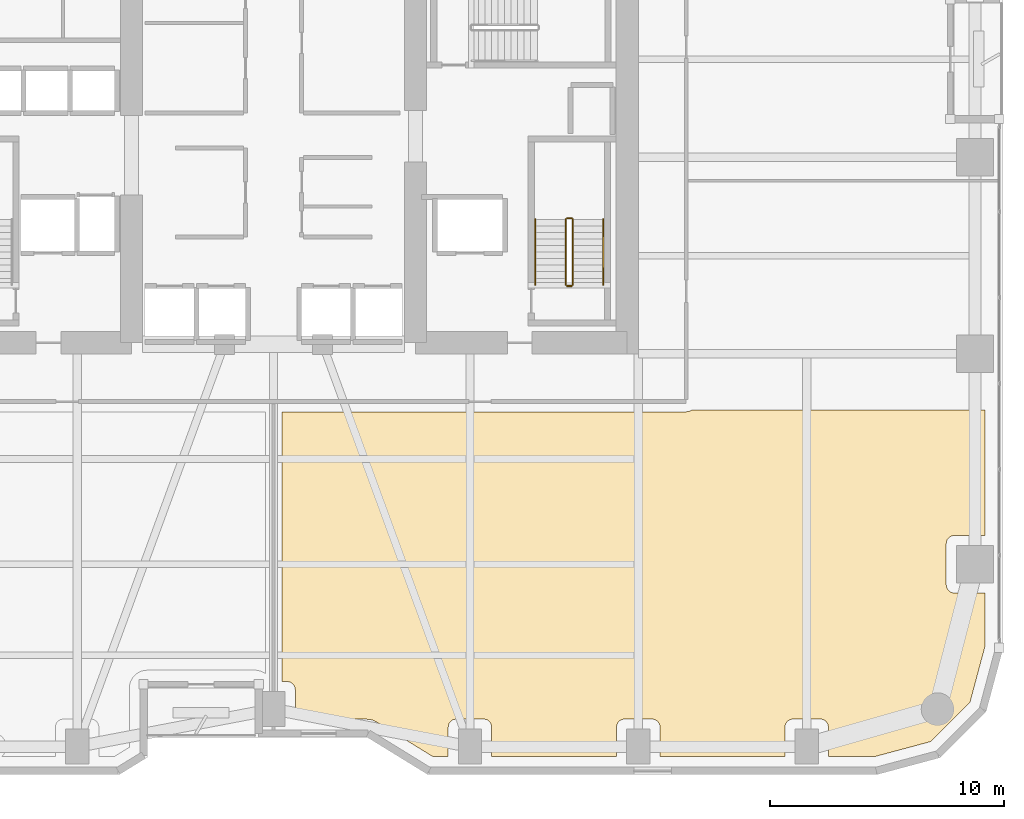
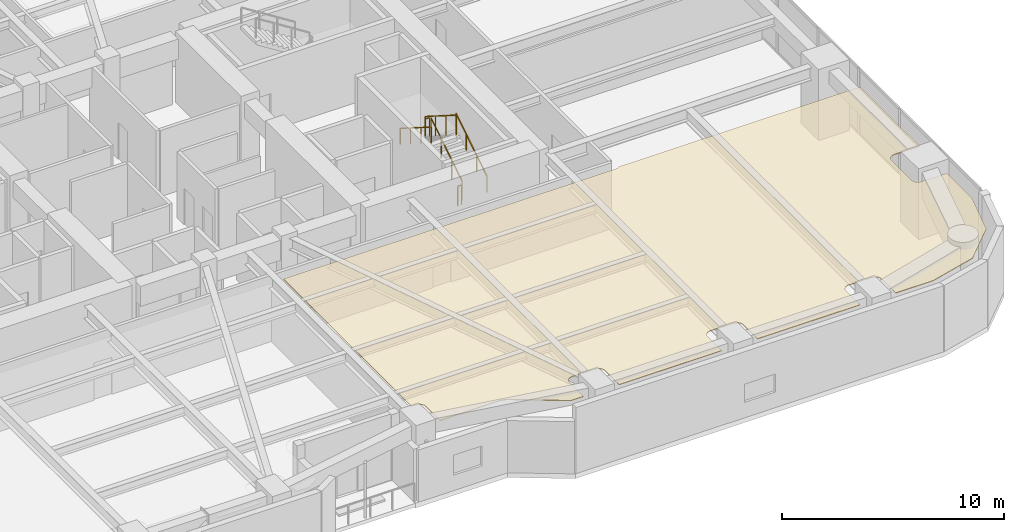
# One storey, part 27 of 29: 6 railings, 1 covering.
"""IFC4 building model written with IfcOpenShell, lengths in metres."""

from ifc_helpers import new_model, si_unit, direction, frame, origin, origin_2d, place, context, subcontext, project, spatial, polyline, rectangle, outline, extrude, material, layer, layer_set, type_object, element, save


model = new_model("IFC4")

# Units and contexts
model_context = context("Model", 3, precision=1e-05, world=origin(), true_north=direction((0.0, 1.0)))
body_context = subcontext(model_context, "Body", "Model", "MODEL_VIEW")
ifc_project = project(units=[si_unit("LENGTHUNIT", "METRE"), si_unit("AREAUNIT", "SQUARE_METRE"), si_unit("VOLUMEUNIT", "CUBIC_METRE"), si_unit("PLANEANGLEUNIT", "RADIAN"), si_unit("MASSUNIT", "GRAM", prefix="KILO")], contexts=[model_context])

# Site, building, storey
site_placement = place(None, origin())
site = spatial("IfcSite", under=ifc_project, at=site_placement, CompositionType="ELEMENT")
building_placement = place(site_placement, origin())
building = spatial("IfcBuilding", under=site, at=building_placement, Name="Kiyonajd Concourse Tower", CompositionType="ELEMENT")
storey_placement = place(building_placement, frame((0.0, 0.0, 25.5)))
storey = spatial("IfcBuildingStorey", under=building, at=storey_placement, Name="L07", CompositionType="ELEMENT", Elevation=25.5)

# Covering
ifc_material_1 = material(Name="Natural Oak Acoustic Timber Veneer", Category="wood")
ifc_layer = layer(ifc_material_1, 0.0400390625)
ifc_layer_set = layer_set([ifc_layer], Name="Natural Oak Acoustic Timber Veneer")
covering_type = type_object("IfcCoveringType", Name="CV-CLG-ACST", PredefinedType="CEILING", material=ifc_layer_set)
covering_placement = place(storey_placement, frame((0.0, 0.0, 3.4599609375)))
element("IfcCovering", 1, at=covering_placement, inside=storey, type_object=covering_type, Name="L07-39 Room Acoustic Ceiling", PredefinedType="CEILING", context=body_context, shape_type="SweptSolid", body=[
    extrude(outline(polyline([(65.89794921875, 25.199951171875), (78.429931640625, 25.199951171875), (78.429931640625, 19.830078125), (77.1201171875, 19.830078125), (77.052001953125, 19.822998046875), (76.986083984375, 19.802978515625), (76.926025390625, 19.77099609375), (76.84912109375, 19.701904296875), (76.81103515625, 19.64501953125), (76.784912109375, 19.58203125), (76.77001953125, 19.47998046875), (76.77001953125, 17.719970703125), (76.784912109375, 17.617919921875), (76.81103515625, 17.554931640625), (76.84912109375, 17.498046875), (76.89794921875, 17.448974609375), (76.955078125, 17.410888671875), (77.01806640625, 17.385009765625), (77.0859375, 17.3720703125), (78.429931640625, 17.3701171875), (78.429931640625, 15.10107421875), (77.785888671875, 12.697998046875), (76.10205078125, 11.013916015625), (73.698974609375, 10.3701171875), (71.72998046875, 10.3701171875), (71.72802734375, 11.6640625), (71.715087890625, 11.73193359375), (71.68896484375, 11.794921875), (71.626953125, 11.876953125), (71.544921875, 11.93896484375), (71.48193359375, 11.965087890625), (71.4140625, 11.97802734375), (70.18603515625, 11.97802734375), (70.117919921875, 11.965087890625), (70.054931640625, 11.93896484375), (69.972900390625, 11.876953125), (69.910888671875, 11.794921875), (69.876953125, 11.697998046875), (69.8701171875, 11.6298828125), (69.8701171875, 10.3701171875), (64.530029296875, 10.3701171875), (64.528076171875, 11.6640625), (64.514892578125, 11.73193359375), (64.489013671875, 11.794921875), (64.427001953125, 11.876953125), (64.344970703125, 11.93896484375), (64.281982421875, 11.965087890625), (64.214111328125, 11.97802734375), (63.02001953125, 11.97998046875), (62.91796875, 11.965087890625), (62.85498046875, 11.93896484375), (62.798095703125, 11.90087890625), (62.7490234375, 11.85205078125), (62.7109375, 11.794921875), (62.677001953125, 11.697998046875), (62.669921875, 11.6298828125), (62.669921875, 10.3701171875), (57.330078125, 10.3701171875), (57.327880859375, 11.6640625), (57.302978515625, 11.763916015625), (57.27099609375, 11.823974609375), (57.22705078125, 11.876953125), (57.174072265625, 11.9208984375), (57.114013671875, 11.952880859375), (57.013916015625, 11.97802734375), (55.820068359375, 11.97998046875), (55.718017578125, 11.965087890625), (55.655029296875, 11.93896484375), (55.597900390625, 11.90087890625), (55.549072265625, 11.85205078125), (55.510986328125, 11.794921875), (55.47705078125, 11.697998046875), (55.469970703125, 11.6298828125), (55.469970703125, 10.3701171875), (54.818115234375, 10.3701171875), (52.403076171875, 11.85595703125), (52.305908203125, 11.906005859375), (52.221923828125, 11.93701171875), (52.10302734375, 11.9619140625), (52.0, 11.969970703125), (48.929931640625, 11.969970703125), (48.929931640625, 13.22998046875), (48.9150390625, 13.33203125), (48.888916015625, 13.39501953125), (48.85107421875, 13.451904296875), (48.802001953125, 13.5009765625), (48.714111328125, 13.552978515625), (48.614013671875, 13.577880859375), (48.3701171875, 13.580078125), (48.3701171875, 25.1201171875), (65.64990234375, 25.1201171875), (65.780029296875, 25.139892578125), (65.843017578125, 25.166015625), (65.89794921875, 25.199951171875)])), origin(), (0.0, 0.0, 1.0), 0.0400390625),
])

# Railings
ifc_material_2 = material(Name="Steel ASTM A500 Grade C", Category="steel")
railing_type_1 = type_object("IfcRailingType", Name="RL-GRD-STR", PredefinedType="GUARDRAIL", material=ifc_material_2)
railing_1_placement = place(storey_placement, frame((60.800048828125, 30.550048828125, 0.17724609375)))
element("IfcRailing", 2, at=railing_1_placement, inside=storey, type_object=railing_type_1, Name="L07 ST2 stair guard 1", PredefinedType="GUARDRAIL", context=body_context, shape_type="SweptSolid", body=[
    extrude(rectangle(XDim=0.048095703125, YDim=0.048095703125, at=origin_2d()), frame((0.0, 0.0, 1.076171875), z_axis=(0.0, 0.844908973607, 0.534910110503), x_axis=(-1.0, 0.0, 0.0)), (0.0, 0.0, 1.0), 3.31396484375),
    extrude(rectangle(XDim=0.0419921875, YDim=0.0419921875, at=origin_2d()), origin(), (0.0, 0.0, 1.0), 1.052001953125),
    extrude(rectangle(XDim=0.0419921875, YDim=0.0419921875, at=origin_2d()), frame((0.0, 0.933349609375, 0.5908203125)), (0.0, 0.0, 1.0), 1.052001953125),
    extrude(rectangle(XDim=0.0419921875, YDim=0.0419921875, at=origin_2d()), frame((0.0, 1.86669921875, 1.181884765625)), (0.0, 0.0, 1.0), 1.052001953125),
    extrude(rectangle(XDim=0.0419921875, YDim=0.0419921875, at=origin_2d()), frame((0.0, 2.800048828125, 1.772705078125)), (0.0, 0.0, 1.0), 1.052001953125),
])
railing_2_placement = place(storey_placement, frame((60.75, 33.39990234375, 1.949951171875)))
element("IfcRailing", 3, at=railing_2_placement, inside=storey, type_object=railing_type_1, Name="L07 ST2 stair guard 2", PredefinedType="GUARDRAIL", context=body_context, shape_type="SweptSolid", body=[
    extrude(rectangle(XDim=0.048095703125, YDim=0.048095703125, at=origin_2d()), frame((0.0, 0.0, 1.076171875), z_axis=(-1.0, 0.0, 0.0), x_axis=(0.0, -1.0, 0.0)), (0.0, 0.0, 1.0), 0.199951171875),
    extrude(rectangle(XDim=0.0419921875, YDim=0.0419921875, at=origin_2d()), origin(), (0.0, 0.0, 1.0), 1.052001953125),
    extrude(rectangle(XDim=0.0419921875, YDim=0.0419921875, at=origin_2d()), frame((-0.199951171875, 0.0, 0.0)), (0.0, 0.0, 1.0), 1.052001953125),
])
railing_3_placement = place(storey_placement, frame((60.5, 33.35009765625, 2.127197265625)))
element("IfcRailing", 4, at=railing_3_placement, inside=storey, type_object=railing_type_1, Name="L07 ST2 stair guard 3", PredefinedType="GUARDRAIL", context=body_context, shape_type="SweptSolid", body=[
    extrude(rectangle(XDim=0.048095703125, YDim=0.048095703125, at=origin_2d()), frame((0.0, 0.0, 1.076171875), z_axis=(0.0, -0.844908973607, 0.534910110503), x_axis=(1.0, 0.0, 0.0)), (0.0, 0.0, 1.0), 3.31396484375),
    extrude(rectangle(XDim=0.0419921875, YDim=0.0419921875, at=origin_2d()), origin(), (0.0, 0.0, 1.0), 1.052001953125),
    extrude(rectangle(XDim=0.0419921875, YDim=0.0419921875, at=origin_2d()), frame((0.0, -0.933349609375, 0.5908203125)), (0.0, 0.0, 1.0), 1.052001953125),
    extrude(rectangle(XDim=0.0419921875, YDim=0.0419921875, at=origin_2d()), frame((0.0, -1.86669921875, 1.181884765625)), (0.0, 0.0, 1.0), 1.052001953125),
    extrude(rectangle(XDim=0.0419921875, YDim=0.0419921875, at=origin_2d()), frame((0.0, -2.800048828125, 1.772705078125)), (0.0, 0.0, 1.0), 1.052001953125),
])
railing_4_placement = place(storey_placement, frame((60.75, 30.5, 0.0)))
element("IfcRailing", 5, at=railing_4_placement, inside=storey, type_object=railing_type_1, Name="L07 ST2 stair guard 4", PredefinedType="GUARDRAIL", context=body_context, shape_type="SweptSolid", body=[
    extrude(rectangle(XDim=0.048095703125, YDim=0.048095703125, at=origin_2d()), frame((0.0, 0.0, 1.076171875), z_axis=(-1.0, 0.0, 0.0), x_axis=(0.0, -1.0, 0.0)), (0.0, 0.0, 1.0), 0.199951171875),
    extrude(rectangle(XDim=0.0419921875, YDim=0.0419921875, at=origin_2d()), origin(), (0.0, 0.0, 1.0), 1.052001953125),
    extrude(rectangle(XDim=0.0419921875, YDim=0.0419921875, at=origin_2d()), frame((-0.199951171875, 0.0, 0.0)), (0.0, 0.0, 1.0), 1.052001953125),
])
ifc_material_3 = material(Name="Brushed Stainless Steel Cab Assembly", Category="steel")
railing_type_2 = type_object("IfcRailingType", Name="RL-HND-900", PredefinedType="HANDRAIL", material=ifc_material_3)
railing_5_placement = place(storey_placement, frame((62.10009765625, 30.550048828125, 0.17724609375)))
element("IfcRailing", 6, at=railing_5_placement, inside=storey, type_object=railing_type_2, Name="L07 ST2 stair handrail 1", PredefinedType="HANDRAIL", context=body_context, shape_type="SweptSolid", body=[
    extrude(rectangle(XDim=0.048095703125, YDim=0.048095703125, at=origin_2d()), frame((0.0, 0.0, 0.8759765625), z_axis=(0.0, 0.844908973607, 0.534910110503), x_axis=(-1.0, 0.0, 0.0)), (0.0, 0.0, 1.0), 3.31396484375),
    extrude(rectangle(XDim=0.0419921875, YDim=0.0419921875, at=origin_2d()), origin(), (0.0, 0.0, 1.0), 0.851806640625),
    extrude(rectangle(XDim=0.0419921875, YDim=0.0419921875, at=origin_2d()), frame((0.0, 0.933349609375, 0.5908203125)), (0.0, 0.0, 1.0), 0.851806640625),
    extrude(rectangle(XDim=0.0419921875, YDim=0.0419921875, at=origin_2d()), frame((0.0, 1.86669921875, 1.181884765625)), (0.0, 0.0, 1.0), 0.851806640625),
    extrude(rectangle(XDim=0.0419921875, YDim=0.0419921875, at=origin_2d()), frame((0.0, 2.800048828125, 1.772705078125)), (0.0, 0.0, 1.0), 0.851806640625),
])
railing_6_placement = place(storey_placement, frame((59.199951171875, 33.35009765625, 2.127197265625)))
element("IfcRailing", 7, at=railing_6_placement, inside=storey, type_object=railing_type_2, Name="L07 ST2 stair handrail 2", PredefinedType="HANDRAIL", context=body_context, shape_type="SweptSolid", body=[
    extrude(rectangle(XDim=0.048095703125, YDim=0.048095703125, at=origin_2d()), frame((0.0, 0.0, 0.8759765625), z_axis=(0.0, -0.844908973607, 0.534910110503), x_axis=(1.0, 0.0, 0.0)), (0.0, 0.0, 1.0), 3.31396484375),
    extrude(rectangle(XDim=0.0419921875, YDim=0.0419921875, at=origin_2d()), origin(), (0.0, 0.0, 1.0), 0.851806640625),
    extrude(rectangle(XDim=0.0419921875, YDim=0.0419921875, at=origin_2d()), frame((0.0, -0.933349609375, 0.5908203125)), (0.0, 0.0, 1.0), 0.851806640625),
    extrude(rectangle(XDim=0.0419921875, YDim=0.0419921875, at=origin_2d()), frame((0.0, -1.86669921875, 1.181884765625)), (0.0, 0.0, 1.0), 0.851806640625),
    extrude(rectangle(XDim=0.0419921875, YDim=0.0419921875, at=origin_2d()), frame((0.0, -2.800048828125, 1.772705078125)), (0.0, 0.0, 1.0), 0.851806640625),
])

save(model, "model.ifc")
